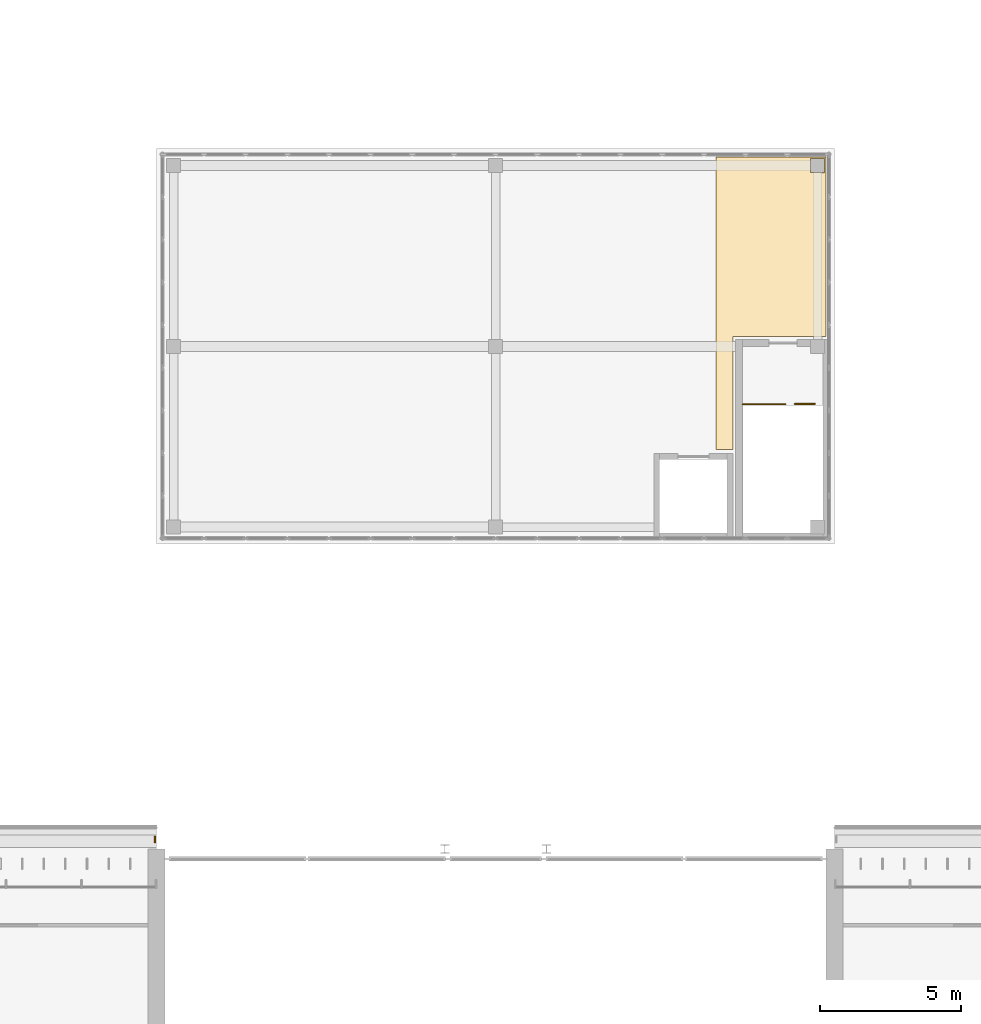
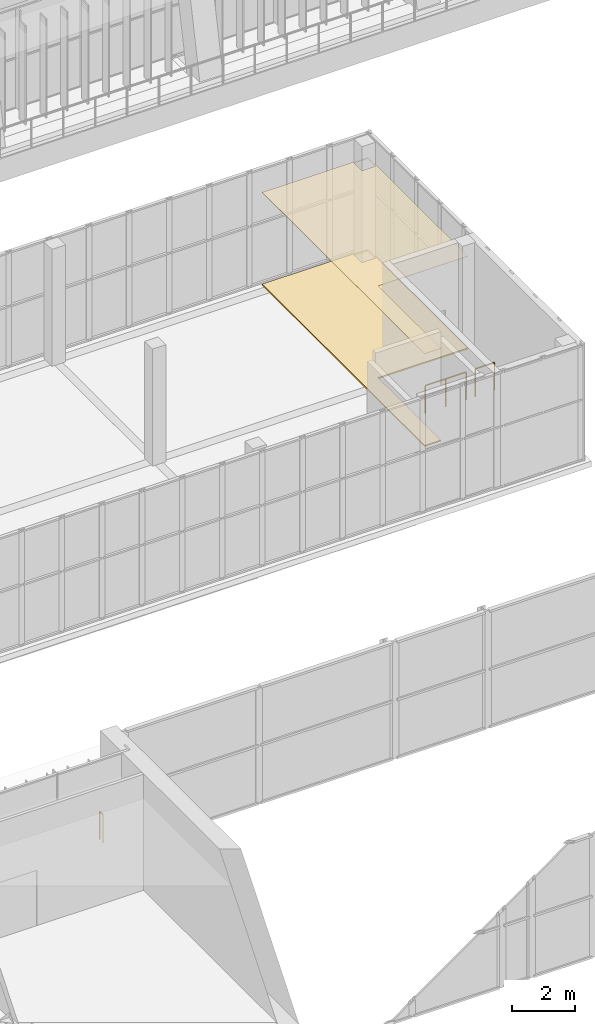
# One storey, part 81 of 92: 3 railings, 2 coverings.
"""IFC4 building model written with IfcOpenShell, lengths in metres."""

from ifc_helpers import new_model, si_unit, direction, frame, origin, origin_2d, place, context, subcontext, project, spatial, polyline, circle, outline, extrude, material, layer, layer_set, type_object, element, save


model = new_model("IFC4")

# Units and contexts
model_context = context("Model", 3, precision=1e-05, world=origin(), true_north=direction((0.0, 1.0)))
body_context = subcontext(model_context, "Body", "Model", "MODEL_VIEW")
ifc_project = project(units=[si_unit("LENGTHUNIT", "METRE"), si_unit("AREAUNIT", "SQUARE_METRE"), si_unit("VOLUMEUNIT", "CUBIC_METRE"), si_unit("PLANEANGLEUNIT", "RADIAN"), si_unit("MASSUNIT", "GRAM", prefix="KILO")], contexts=[model_context])

# Site, building, storey
site_placement = place(None, origin())
site = spatial("IfcSite", under=ifc_project, at=site_placement, CompositionType="ELEMENT")
building_placement = place(site_placement, origin())
building = spatial("IfcBuilding", under=site, at=building_placement, Name="Lantern Court Media Centre", CompositionType="ELEMENT")
storey_placement = place(building_placement, frame((0.0, 0.0, 4.800048828125)))
storey = spatial("IfcBuildingStorey", under=building, at=storey_placement, Name="L01", CompositionType="ELEMENT", Elevation=4.800048828125)

# Covering
ifc_material_1 = material(Name="Carpet")
ifc_layer_1 = layer(ifc_material_1, 0.050048828125)
ifc_layer_set_1 = layer_set([ifc_layer_1], Name="Carpet")
covering_type_1 = type_object("IfcCoveringType", Name="Carpet floor finish", PredefinedType="FLOORING", material=ifc_layer_set_1)
covering_1_placement = place(storey_placement, origin())
element("IfcCovering", 1, at=covering_1_placement, inside=storey, type_object=covering_type_1, Name="Press Lounge floor finish", PredefinedType="FLOORING", context=body_context, shape_type="SweptSolid", body=[
    extrude(outline(polyline([(59.800048828125, 86.699951171875), (63.699951171875, 86.699951171875), (63.699951171875, 80.35009765625), (60.39990234375, 80.35009765625), (60.39990234375, 76.35009765625), (59.800048828125, 76.35009765625), (59.800048828125, 86.699951171875)]), holes=[polyline([(63.14501953125, 86.14990234375), (63.653564453125, 86.146484375), (63.653564453125, 86.653564453125), (63.146484375, 86.653564453125), (63.14501953125, 86.14990234375)])]), origin(), (0.0, 0.0, 1.0), 0.050048828125),
])

# Railings
ifc_material_2 = material(Name="Powder-coated steel", Category="steel")
railing_type_1 = type_object("IfcRailingType", Name="Floor edge guard 1100", PredefinedType="GUARDRAIL", material=ifc_material_2)
railing_1_placement = place(storey_placement, frame((63.300048828125, 77.959716796875, 0.0)))
element("IfcRailing", 2, at=railing_1_placement, inside=storey, type_object=railing_type_1, Name="L01 opening guard 41", PredefinedType="GUARDRAIL", context=body_context, shape_type="SweptSolid", body=[
    extrude(circle(Radius=0.02392578125, at=origin_2d()), frame((0.0, 0.0, 1.076171875), z_axis=(-1.0, 0.0, 0.0), x_axis=(0.0, -1.0, 0.0)), (0.0, 0.0, 1.0), 0.703857421875),
    extrude(circle(Radius=0.02099609375, at=origin_2d()), origin(), (0.0, 0.0, 1.0), 1.052001953125),
    extrude(circle(Radius=0.02099609375, at=origin_2d()), frame((-0.703857421875, 0.0, 0.0)), (0.0, 0.0, 1.0), 1.052001953125),
])
railing_2_placement = place(storey_placement, frame((39.93994140625, 62.639892578125, 0.0)))
element("IfcRailing", 3, at=railing_2_placement, inside=storey, type_object=railing_type_1, Name="L01 edge guard 16", PredefinedType="GUARDRAIL", context=body_context, shape_type="SweptSolid", body=[
    extrude(circle(Radius=0.02392578125, at=origin_2d()), frame((0.0, 0.0, 1.076171875), z_axis=(0.0, -1.0, 0.0), x_axis=(1.0, 0.0, 0.0)), (0.0, 0.0, 1.0), 0.198974609375),
    extrude(circle(Radius=0.02099609375, at=origin_2d()), origin(), (0.0, 0.0, 1.0), 1.052001953125),
    extrude(circle(Radius=0.02099609375, at=origin_2d()), frame((0.0, -0.198974609375, 0.0)), (0.0, 0.0, 1.0), 1.052001953125),
])
railing_type_2 = type_object("IfcRailingType", Name="Stair guard 1100", PredefinedType="GUARDRAIL", material=ifc_material_2)
railing_3_placement = place(storey_placement, frame((60.75, 77.949951171875, 0.0)))
element("IfcRailing", 4, at=railing_3_placement, inside=storey, type_object=railing_type_2, Name="L01 ST-PRESS-ST top well guard 1", PredefinedType="GUARDRAIL", context=body_context, shape_type="SweptSolid", body=[
    extrude(circle(Radius=0.02392578125, at=origin_2d()), frame((0.0, 0.0, 1.076171875), z_axis=(1.0, 0.0, 0.0), x_axis=(0.0, 1.0, 0.0)), (0.0, 0.0, 1.0), 1.5),
    extrude(circle(Radius=0.02099609375, at=origin_2d()), origin(), (0.0, 0.0, 1.0), 1.052001953125),
    extrude(circle(Radius=0.02099609375, at=origin_2d()), frame((0.75, 0.0, 0.0)), (0.0, 0.0, 1.0), 1.052001953125),
    extrude(circle(Radius=0.02099609375, at=origin_2d()), frame((1.5, 0.0, 0.0)), (0.0, 0.0, 1.0), 1.052001953125),
])

# Covering
ifc_material_3 = material(Name="Mineral fibre ceiling tile")
ifc_layer_2 = layer(ifc_material_3, 0.02001953125)
ifc_layer_set_2 = layer_set([ifc_layer_2], Name="Mineral fibre ceiling tile")
covering_type_2 = type_object("IfcCoveringType", Name="Suspended ceiling tile", PredefinedType="CEILING", material=ifc_layer_set_2)
covering_2_placement = place(storey_placement, frame((0.0, 0.0, 3.599853515625)))
element("IfcCovering", 5, at=covering_2_placement, inside=storey, type_object=covering_type_2, Name="Press Lounge ceiling", PredefinedType="CEILING", context=body_context, shape_type="SweptSolid", body=[
    extrude(outline(polyline([(59.800048828125, 86.699951171875), (63.699951171875, 86.699951171875), (63.699951171875, 80.35009765625), (60.39990234375, 80.35009765625), (60.39990234375, 76.35009765625), (59.800048828125, 76.35009765625), (59.800048828125, 86.699951171875)]), holes=[polyline([(63.64990234375, 86.1494140625), (63.650390625, 86.650390625), (63.149658203125, 86.650390625), (63.149658203125, 86.149658203125), (63.64990234375, 86.1494140625)])]), origin(), (0.0, 0.0, 1.0), 0.02001953125),
])

save(model, "model.ifc")
